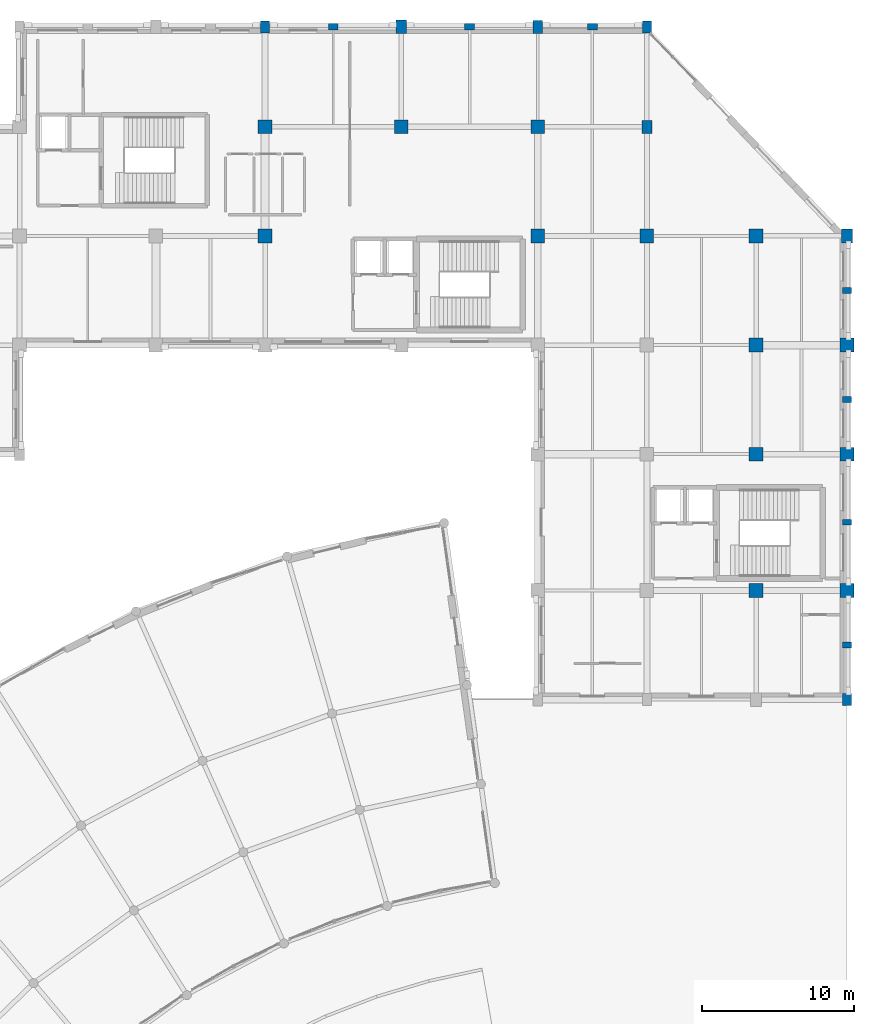
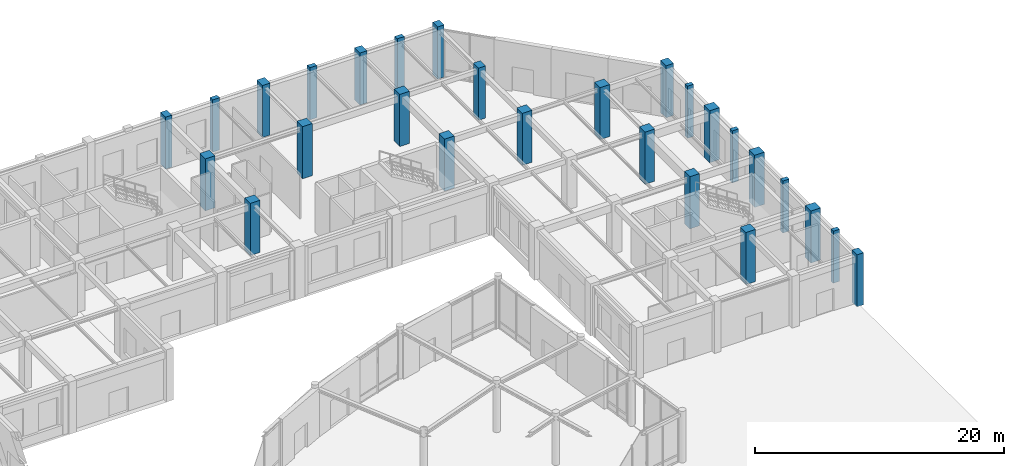
# One storey, part 6 of 64: 27 columns.
"""IFC4 building model written with IfcOpenShell, lengths in metres."""

from ifc_helpers import new_model, si_unit, direction, frame, origin, origin_2d, place, context, subcontext, project, spatial, rectangle, extrude, material, material_profile, profile_set, type_object, element, save


model = new_model("IFC4")

# Units and contexts
model_context = context("Model", 3, precision=1e-05, world=origin(), true_north=direction((0.0, 1.0)))
body_context = subcontext(model_context, "Body", "Model", "MODEL_VIEW")
ifc_project = project(units=[si_unit("LENGTHUNIT", "METRE"), si_unit("AREAUNIT", "SQUARE_METRE"), si_unit("VOLUMEUNIT", "CUBIC_METRE"), si_unit("PLANEANGLEUNIT", "RADIAN"), si_unit("MASSUNIT", "GRAM", prefix="KILO")], contexts=[model_context])

# Site, building, storey
site_placement = place(None, origin())
site = spatial("IfcSite", under=ifc_project, at=site_placement, CompositionType="ELEMENT")
building_placement = place(site_placement, origin())
building = spatial("IfcBuilding", under=site, at=building_placement, Name="Clarverna Civic Hall", CompositionType="ELEMENT")
storey_placement = place(building_placement, origin())
storey = spatial("IfcBuildingStorey", under=building, at=storey_placement, Name="L00", CompositionType="ELEMENT", Elevation=0.0)

# Columns
ifc_material_1 = material(Name="Precast concrete C40/50", Category="concrete")
ifc_material_profile_1 = material_profile(ifc_material_1, rectangle(XDim=0.64990234375, YDim=0.419921875, at=origin_2d()), Name="PILASTER 650x420")
ifc_profile_set_1 = profile_set([ifc_material_profile_1], Name="Precast concrete C40/50")
column_type_1 = type_object("IfcColumnType", Name="C-PL1", PredefinedType="PILASTER", material=ifc_profile_set_1)
for number, where, z_axis, x_axis, name in (
    (1, (134.10009765625, 116.0, 0.0), (0.0, 0.0, 1.0), (1.0, 0.0, 0.0), "C-PL1-016"),
    (2, (143.10009765625, 116.0, 0.0), (0.0, 0.0, 1.0), (1.0, 0.0, 0.0), "C-PL1-023"),
    (3, (151.199951171875, 116.0, 0.0), (0.0, 0.0, 1.0), (1.0, 0.0, 0.0), "C-PL1-030"),
):
    element("IfcColumn", number, at=place(storey_placement, frame(where, z_axis=z_axis, x_axis=x_axis)), inside=storey, type_object=column_type_1, Name=name, PredefinedType="PILASTER", context=body_context, shape_type="SweptSolid", body=[
        extrude(rectangle(XDim=0.64990234375, YDim=0.419921875, at=origin_2d()), origin(), (0.0, 0.0, 1.0), 5.10009765625),
    ])
ifc_material_profile_2 = material_profile(ifc_material_1, rectangle(XDim=0.580078125, YDim=0.3798828125, at=origin_2d()), Name="PILASTER 580x380")
ifc_profile_set_2 = profile_set([ifc_material_profile_2], Name="Precast concrete C40/50")
column_type_2 = type_object("IfcColumnType", Name="C-PL2", PredefinedType="PILASTER", material=ifc_profile_set_2)
for number, where, z_axis, x_axis, name in (
    (4, (168.0, 75.199951171875, 0.0), (0.0, 0.0, 1.0), (1.0, 0.0, 0.0), "C-PL2-002"),
    (5, (168.0, 83.300048828125, 0.0), (0.0, 0.0, 1.0), (1.0, 0.0, 0.0), "C-PL2-009"),
    (6, (168.0, 91.39990234375, 0.0), (0.0, 0.0, 1.0), (1.0, 0.0, 0.0), "C-PL2-016"),
    (7, (168.0, 98.60009765625, 0.0), (0.0, 0.0, 1.0), (1.0, 0.0, 0.0), "C-PL2-023"),
):
    element("IfcColumn", number, at=place(storey_placement, frame(where, z_axis=z_axis, x_axis=x_axis)), inside=storey, type_object=column_type_2, Name=name, PredefinedType="PILASTER", context=body_context, shape_type="SweptSolid", body=[
        extrude(rectangle(XDim=0.580078125, YDim=0.3798828125, at=origin_2d()), origin(), (0.0, 0.0, 1.0), 5.10009765625),
    ])
ifc_material_2 = material(Name="Concrete C35/45", Category="concrete")
ifc_material_profile_3 = material_profile(ifc_material_2, rectangle(XDim=0.60009765625, YDim=0.800048828125, at=origin_2d()), Name="RC 600x800")
ifc_profile_set_3 = profile_set([ifc_material_profile_3], Name="Concrete C35/45")
column_type_3 = type_object("IfcColumnType", Name="C-RC15", PredefinedType="COLUMN", material=ifc_profile_set_3)
for number, where, z_axis, x_axis, name in (
    (8, (129.60009765625, 116.0, 0.0), (0.0, 0.0, 1.0), (1.0, 0.0, 0.0), "C-RC15-039"),
    (9, (154.800048828125, 116.0, 0.0), (0.0, 0.0, 1.0), (1.0, 0.0, 0.0), "C-RC15-041"),
    (10, (168.0, 71.60009765625, 0.0), (0.0, 0.0, 1.0), (1.0, 0.0, 0.0), "C-RC15-042"),
):
    element("IfcColumn", number, at=place(storey_placement, frame(where, z_axis=z_axis, x_axis=x_axis)), inside=storey, type_object=column_type_3, Name=name, PredefinedType="COLUMN", context=body_context, shape_type="SweptSolid", body=[
        extrude(rectangle(XDim=0.60009765625, YDim=0.800048828125, at=origin_2d()), origin(), (0.0, 0.0, 1.0), 5.10009765625),
    ])
ifc_material_3 = material(Name="Concrete C40/50", Category="concrete")
ifc_material_profile_4 = material_profile(ifc_material_3, rectangle(XDim=0.89990234375, YDim=0.89990234375, at=origin_2d()), Name="RC 900x900")
ifc_profile_set_4 = profile_set([ifc_material_profile_4], Name="Concrete C40/50")
column_type_4 = type_object("IfcColumnType", Name="C-RC2", PredefinedType="COLUMN", material=ifc_profile_set_4)
for number, where, z_axis, x_axis, name in (
    (11, (129.60009765625, 102.199951171875, 0.0), (0.0, 0.0, 1.0), (1.0, 0.0, 0.0), "C-RC2-013"),
    (12, (129.60009765625, 109.39990234375, 0.0), (0.0, 0.0, 1.0), (1.0, 0.0, 0.0), "C-RC2-014"),
    (13, (138.60009765625, 109.39990234375, 0.0), (0.0, 0.0, 1.0), (1.0, 0.0, 0.0), "C-RC2-016"),
    (14, (147.60009765625, 102.199951171875, 0.0), (0.0, 0.0, 1.0), (1.0, 0.0, 0.0), "C-RC2-020"),
    (15, (147.60009765625, 109.39990234375, 0.0), (0.0, 0.0, 1.0), (1.0, 0.0, 0.0), "C-RC2-021"),
    (16, (154.800048828125, 102.199951171875, 0.0), (0.0, 0.0, 1.0), (1.0, 0.0, 0.0), "C-RC2-025"),
    (17, (162.0, 78.800048828125, 0.0), (0.0, 0.0, 1.0), (1.0, 0.0, 0.0), "C-RC2-026"),
    (18, (162.0, 87.800048828125, 0.0), (0.0, 0.0, 1.0), (1.0, 0.0, 0.0), "C-RC2-027"),
    (19, (162.0, 95.0, 0.0), (0.0, 0.0, 1.0), (1.0, 0.0, 0.0), "C-RC2-028"),
    (20, (162.0, 102.199951171875, 0.0), (0.0, 0.0, 1.0), (1.0, 0.0, 0.0), "C-RC2-029"),
    (21, (168.0, 78.800048828125, 0.0), (0.0, 0.0, 1.0), (1.0, 0.0, 0.0), "C-RC2-030"),
    (22, (168.0, 87.800048828125, 0.0), (0.0, 0.0, 1.0), (1.0, 0.0, 0.0), "C-RC2-031"),
    (23, (168.0, 95.0, 0.0), (0.0, 0.0, 1.0), (1.0, 0.0, 0.0), "C-RC2-032"),
):
    element("IfcColumn", number, at=place(storey_placement, frame(where, z_axis=z_axis, x_axis=x_axis)), inside=storey, type_object=column_type_4, Name=name, PredefinedType="COLUMN", context=body_context, shape_type="SweptSolid", body=[
        extrude(rectangle(XDim=0.89990234375, YDim=0.89990234375, at=origin_2d()), origin(), (0.0, 0.0, 1.0), 5.10009765625),
    ])
ifc_material_profile_5 = material_profile(ifc_material_3, rectangle(XDim=0.699951171875, YDim=0.89990234375, at=origin_2d()), Name="RC 700x900")
ifc_profile_set_5 = profile_set([ifc_material_profile_5], Name="Concrete C40/50")
column_type_5 = type_object("IfcColumnType", Name="C-RC6", PredefinedType="COLUMN", material=ifc_profile_set_5)
for number, where, z_axis, x_axis, name in (
    (24, (138.60009765625, 116.0, 0.0), (0.0, 0.0, 1.0), (1.0, 0.0, 0.0), "C-RC6-094"),
    (25, (168.0, 102.199951171875, 0.0), (0.0, 0.0, 1.0), (1.0, 0.0, 0.0), "C-RC6-111"),
):
    element("IfcColumn", number, at=place(storey_placement, frame(where, z_axis=z_axis, x_axis=x_axis)), inside=storey, type_object=column_type_5, Name=name, PredefinedType="COLUMN", context=body_context, shape_type="SweptSolid", body=[
        extrude(rectangle(XDim=0.699951171875, YDim=0.89990234375, at=origin_2d()), origin(), (0.0, 0.0, 1.0), 5.10009765625),
    ])
ifc_material_profile_6 = material_profile(ifc_material_3, rectangle(XDim=0.64990234375, YDim=0.85009765625, at=origin_2d()), Name="RC 650x850")
ifc_profile_set_6 = profile_set([ifc_material_profile_6], Name="Concrete C40/50")
column_type_6 = type_object("IfcColumnType", Name="C-RC7", PredefinedType="COLUMN", material=ifc_profile_set_6)
for number, where, z_axis, x_axis, name in (
    (26, (147.60009765625, 116.0, 0.0), (0.0, 0.0, 1.0), (1.0, 0.0, 0.0), "C-RC7-043"),
    (27, (154.800048828125, 109.39990234375, 0.0), (0.0, 0.0, 1.0), (1.0, 0.0, 0.0), "C-RC7-044"),
):
    element("IfcColumn", number, at=place(storey_placement, frame(where, z_axis=z_axis, x_axis=x_axis)), inside=storey, type_object=column_type_6, Name=name, PredefinedType="COLUMN", context=body_context, shape_type="SweptSolid", body=[
        extrude(rectangle(XDim=0.64990234375, YDim=0.85009765625, at=origin_2d()), origin(), (0.0, 0.0, 1.0), 5.10009765625),
    ])

save(model, "model.ifc")
